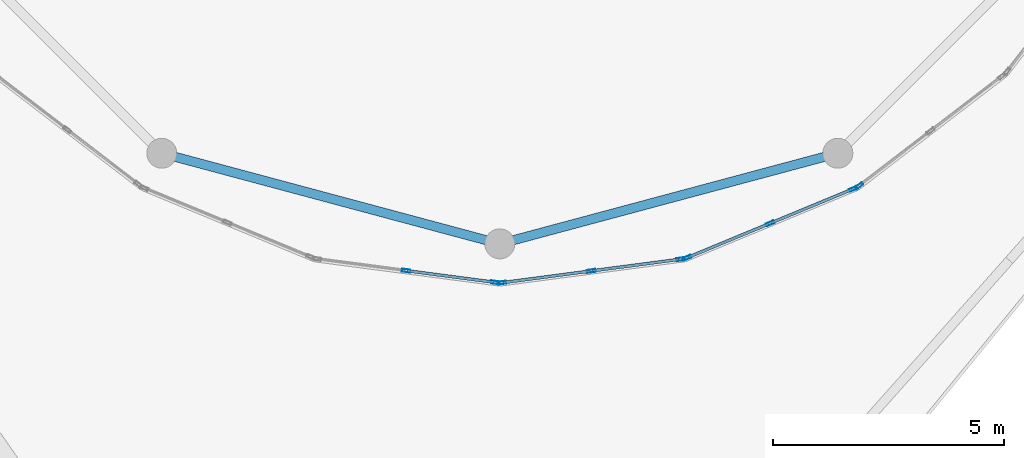
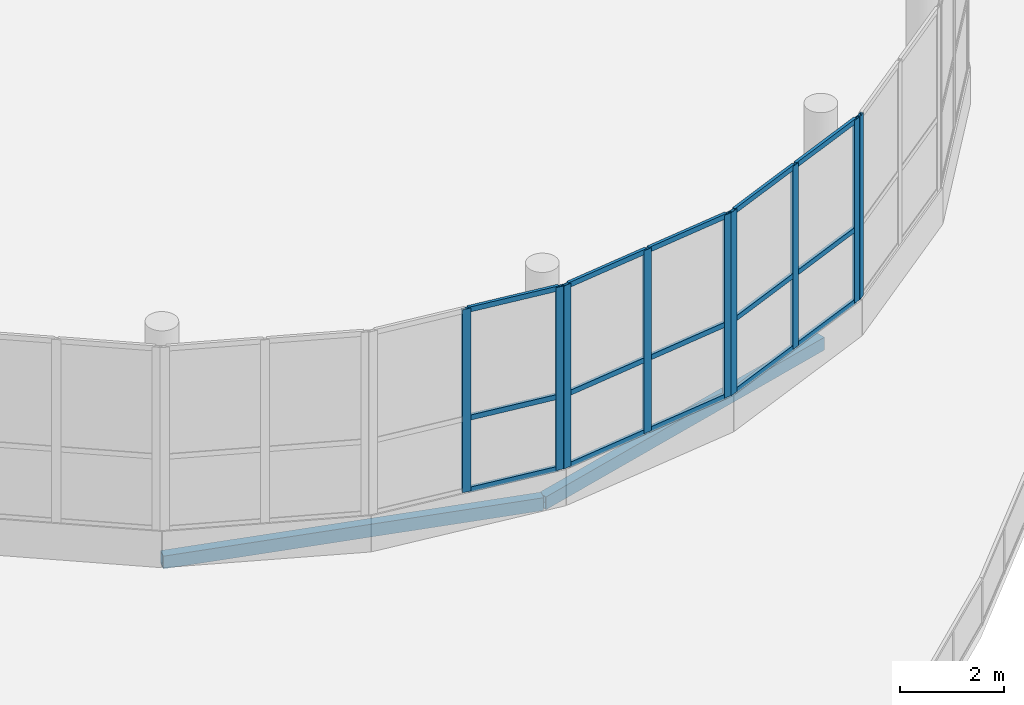
# One storey, part 7 of 101: 24 members, 2 beams, 4 elements without a shape of their own.
"""IFC4 building model written with IfcOpenShell, lengths in metres."""

from ifc_helpers import new_model, si_unit, direction, frame, origin, origin_2d, place, context, subcontext, project, spatial, hollow_rectangle, extrude, material, material_profile, profile_set, type_object, element, aggregate, save


model = new_model("IFC4")

# Units and contexts
model_context = context("Model", 3, precision=1e-05, world=origin(), true_north=direction((0.0, 1.0)))
body_context = subcontext(model_context, "Body", "Model", "MODEL_VIEW")
ifc_project = project(units=[si_unit("LENGTHUNIT", "METRE"), si_unit("AREAUNIT", "SQUARE_METRE"), si_unit("VOLUMEUNIT", "CUBIC_METRE"), si_unit("PLANEANGLEUNIT", "RADIAN"), si_unit("MASSUNIT", "GRAM", prefix="KILO")], contexts=[model_context])

# Site, building, storey
site_placement = place(None, origin())
site = spatial("IfcSite", under=ifc_project, at=site_placement, CompositionType="ELEMENT")
building_placement = place(site_placement, origin())
building = spatial("IfcBuilding", under=site, at=building_placement, Name="Selatvlak General Hospital", CompositionType="ELEMENT")
storey_placement = place(building_placement, frame((0.0, 0.0, 19.199951171875)))
storey = spatial("IfcBuildingStorey", under=building, at=storey_placement, Name="L04", CompositionType="ELEMENT", Elevation=19.199951171875)

# Beams
ifc_material_1 = material(Name="Steel S355", Category="steel")
ifc_material_profile_1 = material_profile(ifc_material_1, hollow_rectangle(XDim=0.199951171875, YDim=0.300048828125, WallThickness=0.011962890625, at=origin_2d()), Name="RHS 300x200x12")
ifc_profile_set_1 = profile_set([ifc_material_profile_1], Name="Steel S355")
beam_type = type_object("IfcBeamType", Name="BM-SP3", PredefinedType="SPANDREL", material=ifc_profile_set_1)
for number, where, z_axis, x_axis, name in (
    (1, (90.675048828125, 41.31298828125, -0.454833984375), (0.965920028052, -0.25884068345, 0.0), (0.25884068345, 0.965920028052, 0.0), "Beam BMR-L04-1794"),
    (2, (98.0, 39.35009765625, -0.454833984375), (0.965920028052, 0.25884068345, 0.0), (-0.25884068345, 0.965920028052, 0.0), "Beam BMR-L04-1795"),
):
    element("IfcBeam", number, at=place(storey_placement, frame(where, z_axis=z_axis, x_axis=x_axis)), inside=storey, type_object=beam_type, Name=name, PredefinedType="SPANDREL", context=body_context, shape_type="SweptSolid", body=[
        extrude(hollow_rectangle(XDim=0.199951171875, YDim=0.300048828125, WallThickness=0.011962890625, at=origin_2d()), origin(), (0.0, 0.0, 1.0), 7.58349609375),
    ])

# Curtain wall, member
ifc_material_2 = material(Name="Solar-control Low-E double glazing", Category="glass")
curtain_wall_type_1 = type_object("IfcCurtainWallType", Name="CW-CW-05", PredefinedType="USERDEFINED", material=ifc_material_2)
curtain_wall_1_placement = place(storey_placement, origin())
curtain_wall_1 = element("IfcCurtainWall", 3, at=curtain_wall_1_placement, inside=storey, type_object=curtain_wall_type_1, Name="Glazed facade curtain wall CW-L04-0522", ObjectType="STICK GLAZING WALL", PredefinedType="USERDEFINED")
ifc_material_3 = material(Name="Dark anodised aluminium mullion", Category="aluminium")
ifc_material_profile_2 = material_profile(ifc_material_3, hollow_rectangle(XDim=0.06494140625, YDim=0.179931640625, WallThickness=0.00439453125, at=origin_2d()), Name="AL-MUL 65x180x4.5")
ifc_profile_set_2 = profile_set([ifc_material_profile_2], Name="Dark anodised aluminium mullion")
member_type_1 = type_object("IfcMemberType", Name="CWM-02", PredefinedType="MULLION", material=ifc_profile_set_2)
member_1_placement = place(storey_placement, frame((105.788818359375, 40.606689453125, 0.85009765625), z_axis=(0.0, 0.0, 1.0), x_axis=(0.608918417743, -0.793232853917, 0.0)))
member_1 = element("IfcMember", 4, at=member_1_placement, type_object=member_type_1, Name="CW-05 mullion 3", PredefinedType="MULLION", context=body_context, shape_type="SweptSolid", body=[
    extrude(hollow_rectangle(XDim=0.06494140625, YDim=0.179931640625, WallThickness=0.00439453125, at=origin_2d()), origin(), (0.0, 0.0, 1.0), 4.300048828125),
])
aggregate(curtain_wall_1, [member_1])

# Curtain wall, members
curtain_wall_type_2 = type_object("IfcCurtainWallType", Name="CW-CW-04", PredefinedType="USERDEFINED", material=ifc_material_2)
curtain_wall_2_placement = place(storey_placement, origin())
curtain_wall_2 = element("IfcCurtainWall", 5, at=curtain_wall_2_placement, inside=storey, type_object=curtain_wall_type_2, Name="Glazed facade curtain wall CW-L04-0523", ObjectType="STICK GLAZING WALL", PredefinedType="USERDEFINED")
member_2_placement = place(storey_placement, frame((105.660888671875, 40.54052734375, 0.85009765625), z_axis=(0.0, 0.0, 1.0), x_axis=(0.382752625243, -0.923850868847, 0.0)))
member_2 = element("IfcMember", 6, at=member_2_placement, type_object=member_type_1, Name="CW-04 mullion 1", PredefinedType="MULLION", context=body_context, shape_type="SweptSolid", body=[
    extrude(hollow_rectangle(XDim=0.06494140625, YDim=0.179931640625, WallThickness=0.00439453125, at=origin_2d()), origin(), (0.0, 0.0, 1.0), 4.300048828125),
])
member_3_placement = place(storey_placement, frame((103.85888671875, 39.7939453125, 0.85009765625), z_axis=(0.0, 0.0, 1.0), x_axis=(0.382752625243, -0.923850868847, 0.0)))
member_3 = element("IfcMember", 7, at=member_3_placement, type_object=member_type_1, Name="CW-04 mullion 2", PredefinedType="MULLION", context=body_context, shape_type="SweptSolid", body=[
    extrude(hollow_rectangle(XDim=0.06494140625, YDim=0.179931640625, WallThickness=0.00439453125, at=origin_2d()), origin(), (0.0, 0.0, 1.0), 4.300048828125),
])
member_4_placement = place(storey_placement, frame((102.05712890625, 39.04736328125, 0.85009765625), z_axis=(0.0, 0.0, 1.0), x_axis=(0.382752625243, -0.923850868847, 0.0)))
member_4 = element("IfcMember", 8, at=member_4_placement, type_object=member_type_1, Name="CW-04 mullion 3", PredefinedType="MULLION", context=body_context, shape_type="SweptSolid", body=[
    extrude(hollow_rectangle(XDim=0.06494140625, YDim=0.179931640625, WallThickness=0.00439453125, at=origin_2d()), origin(), (0.0, 0.0, 1.0), 4.300048828125),
])

curtain_wall_3_placement = place(storey_placement, origin())
curtain_wall_3 = element("IfcCurtainWall", 9, at=curtain_wall_3_placement, inside=storey, type_object=curtain_wall_type_1, Name="Glazed facade curtain wall CW-L04-0524", ObjectType="STICK GLAZING WALL", PredefinedType="USERDEFINED")
member_5_placement = place(storey_placement, frame((101.915771484375, 39.015869140625, 0.85009765625), z_axis=(0.0, 0.0, 1.0), x_axis=(0.130611050186, -0.991433685916, 0.0)))
member_5 = element("IfcMember", 10, at=member_5_placement, type_object=member_type_1, Name="CW-05 mullion 1", PredefinedType="MULLION", context=body_context, shape_type="SweptSolid", body=[
    extrude(hollow_rectangle(XDim=0.06494140625, YDim=0.179931640625, WallThickness=0.00439453125, at=origin_2d()), origin(), (0.0, 0.0, 1.0), 4.300048828125),
])
member_6_placement = place(storey_placement, frame((99.98193359375, 38.760986328125, 0.85009765625), z_axis=(0.0, 0.0, 1.0), x_axis=(0.130611050186, -0.991433685916, 0.0)))
member_6 = element("IfcMember", 11, at=member_6_placement, type_object=member_type_1, Name="CW-05 mullion 2", PredefinedType="MULLION", context=body_context, shape_type="SweptSolid", body=[
    extrude(hollow_rectangle(XDim=0.06494140625, YDim=0.179931640625, WallThickness=0.00439453125, at=origin_2d()), origin(), (0.0, 0.0, 1.0), 4.300048828125),
])
member_7_placement = place(storey_placement, frame((98.04833984375, 38.50634765625, 0.85009765625), z_axis=(0.0, 0.0, 1.0), x_axis=(0.130611050186, -0.991433685916, 0.0)))
member_7 = element("IfcMember", 12, at=member_7_placement, type_object=member_type_1, Name="CW-05 mullion 3", PredefinedType="MULLION", context=body_context, shape_type="SweptSolid", body=[
    extrude(hollow_rectangle(XDim=0.06494140625, YDim=0.179931640625, WallThickness=0.00439453125, at=origin_2d()), origin(), (0.0, 0.0, 1.0), 4.300048828125),
])

curtain_wall_4_placement = place(storey_placement, origin())
curtain_wall_4 = element("IfcCurtainWall", 13, at=curtain_wall_4_placement, inside=storey, type_object=curtain_wall_type_2, Name="Glazed facade curtain wall CW-L04-0525", ObjectType="STICK GLAZING WALL", PredefinedType="USERDEFINED")
member_8_placement = place(storey_placement, frame((97.90380859375, 38.51318359375, 0.85009765625), z_axis=(0.0, 0.0, 1.0), x_axis=(-0.130363194467, -0.991466306804, 0.0)))
member_8 = element("IfcMember", 14, at=member_8_placement, type_object=member_type_1, Name="CW-04 mullion 1", PredefinedType="MULLION", context=body_context, shape_type="SweptSolid", body=[
    extrude(hollow_rectangle(XDim=0.06494140625, YDim=0.179931640625, WallThickness=0.00439453125, at=origin_2d()), origin(), (0.0, 0.0, 1.0), 4.300048828125),
])
member_9_placement = place(storey_placement, frame((95.969970703125, 38.767578125, 0.85009765625), z_axis=(0.0, 0.0, 1.0), x_axis=(-0.130363194467, -0.991466306804, 0.0)))
member_9 = element("IfcMember", 15, at=member_9_placement, type_object=member_type_1, Name="CW-04 mullion 2", PredefinedType="MULLION", context=body_context, shape_type="SweptSolid", body=[
    extrude(hollow_rectangle(XDim=0.06494140625, YDim=0.179931640625, WallThickness=0.00439453125, at=origin_2d()), origin(), (0.0, 0.0, 1.0), 4.300048828125),
])

# Member
ifc_material_profile_3 = material_profile(ifc_material_3, hollow_rectangle(XDim=0.06494140625, YDim=0.1201171875, WallThickness=0.00390625, at=origin_2d()), Name="AL-TRN 65x120x4")
ifc_profile_set_3 = profile_set([ifc_material_profile_3], Name="Dark anodised aluminium mullion")
member_type_2 = type_object("IfcMemberType", Name="CWT-01", PredefinedType="USERDEFINED", material=ifc_profile_set_3)
member_10_placement = place(storey_placement, frame((105.630859375, 40.528076171875, 0.882568359375), z_axis=(-0.92385269326, -0.382748221623, 0.0), x_axis=(0.382748221623, -0.92385269326, 0.0)))
member_10 = element("IfcMember", 16, at=member_10_placement, type_object=member_type_2, Name="CW-04 transom 1.1", ObjectType="TRANSOM", PredefinedType="USERDEFINED", context=body_context, shape_type="SweptSolid", body=[
    extrude(hollow_rectangle(XDim=0.06494140625, YDim=0.1201171875, WallThickness=0.00390625, at=origin_2d()), origin(), (0.0, 0.0, 1.0), 1.885498046875),
])

member_11_placement = place(storey_placement, frame((105.630859375, 40.528076171875, 2.574951171875), z_axis=(-0.92385269326, -0.382748221623, 0.0), x_axis=(0.382748221623, -0.92385269326, 0.0)))
member_11 = element("IfcMember", 17, at=member_11_placement, type_object=member_type_2, Name="CW-04 transom 1.2", ObjectType="TRANSOM", PredefinedType="USERDEFINED", context=body_context, shape_type="SweptSolid", body=[
    extrude(hollow_rectangle(XDim=0.06494140625, YDim=0.1201171875, WallThickness=0.00390625, at=origin_2d()), origin(), (0.0, 0.0, 1.0), 1.885498046875),
])

member_12_placement = place(storey_placement, frame((105.630859375, 40.528076171875, 5.117431640625), z_axis=(-0.92385269326, -0.382748221623, 0.0), x_axis=(0.382748221623, -0.92385269326, 0.0)))
member_12 = element("IfcMember", 18, at=member_12_placement, type_object=member_type_2, Name="CW-04 transom 1.3", ObjectType="TRANSOM", PredefinedType="USERDEFINED", context=body_context, shape_type="SweptSolid", body=[
    extrude(hollow_rectangle(XDim=0.06494140625, YDim=0.1201171875, WallThickness=0.00390625, at=origin_2d()), origin(), (0.0, 0.0, 1.0), 1.885498046875),
])

member_13_placement = place(storey_placement, frame((103.828857421875, 39.781494140625, 0.882568359375), z_axis=(-0.923833721264, -0.382794011782, 0.0), x_axis=(0.382794011782, -0.923833721264, 0.0)))
member_13 = element("IfcMember", 19, at=member_13_placement, type_object=member_type_2, Name="CW-04 transom 2.1", ObjectType="TRANSOM", PredefinedType="USERDEFINED", context=body_context, shape_type="SweptSolid", body=[
    extrude(hollow_rectangle(XDim=0.06494140625, YDim=0.1201171875, WallThickness=0.00390625, at=origin_2d()), origin(), (0.0, 0.0, 1.0), 1.88525390625),
])

member_14_placement = place(storey_placement, frame((103.828857421875, 39.781494140625, 2.574951171875), z_axis=(-0.923833721264, -0.382794011782, 0.0), x_axis=(0.382794011782, -0.923833721264, 0.0)))
member_14 = element("IfcMember", 20, at=member_14_placement, type_object=member_type_2, Name="CW-04 transom 2.2", ObjectType="TRANSOM", PredefinedType="USERDEFINED", context=body_context, shape_type="SweptSolid", body=[
    extrude(hollow_rectangle(XDim=0.06494140625, YDim=0.1201171875, WallThickness=0.00390625, at=origin_2d()), origin(), (0.0, 0.0, 1.0), 1.88525390625),
])

member_15_placement = place(storey_placement, frame((103.828857421875, 39.781494140625, 5.117431640625), z_axis=(-0.923833721264, -0.382794011782, 0.0), x_axis=(0.382794011782, -0.923833721264, 0.0)))
member_15 = element("IfcMember", 21, at=member_15_placement, type_object=member_type_2, Name="CW-04 transom 2.3", ObjectType="TRANSOM", PredefinedType="USERDEFINED", context=body_context, shape_type="SweptSolid", body=[
    extrude(hollow_rectangle(XDim=0.06494140625, YDim=0.1201171875, WallThickness=0.00390625, at=origin_2d()), origin(), (0.0, 0.0, 1.0), 1.88525390625),
])

aggregate(curtain_wall_2, [member_2, member_3, member_4, member_10, member_11, member_12, member_13, member_14, member_15])

member_16_placement = place(storey_placement, frame((101.883544921875, 39.011474609375, 0.882568359375), z_axis=(-0.991429156787, -0.130645424996, 0.0), x_axis=(0.130645424996, -0.991429156787, 0.0)))
member_16 = element("IfcMember", 22, at=member_16_placement, type_object=member_type_2, Name="CW-05 transom 1.1", ObjectType="TRANSOM", PredefinedType="USERDEFINED", context=body_context, shape_type="SweptSolid", body=[
    extrude(hollow_rectangle(XDim=0.06494140625, YDim=0.1201171875, WallThickness=0.00390625, at=origin_2d()), origin(), (0.0, 0.0, 1.0), 1.885498046875),
])

member_17_placement = place(storey_placement, frame((101.883544921875, 39.011474609375, 2.574951171875), z_axis=(-0.991429156787, -0.130645424996, 0.0), x_axis=(0.130645424996, -0.991429156787, 0.0)))
member_17 = element("IfcMember", 23, at=member_17_placement, type_object=member_type_2, Name="CW-05 transom 1.2", ObjectType="TRANSOM", PredefinedType="USERDEFINED", context=body_context, shape_type="SweptSolid", body=[
    extrude(hollow_rectangle(XDim=0.06494140625, YDim=0.1201171875, WallThickness=0.00390625, at=origin_2d()), origin(), (0.0, 0.0, 1.0), 1.885498046875),
])

member_18_placement = place(storey_placement, frame((101.883544921875, 39.011474609375, 5.117431640625), z_axis=(-0.991429156787, -0.130645424996, 0.0), x_axis=(0.130645424996, -0.991429156787, 0.0)))
member_18 = element("IfcMember", 24, at=member_18_placement, type_object=member_type_2, Name="CW-05 transom 1.3", ObjectType="TRANSOM", PredefinedType="USERDEFINED", context=body_context, shape_type="SweptSolid", body=[
    extrude(hollow_rectangle(XDim=0.06494140625, YDim=0.1201171875, WallThickness=0.00390625, at=origin_2d()), origin(), (0.0, 0.0, 1.0), 1.885498046875),
])

member_19_placement = place(storey_placement, frame((99.94970703125, 38.7568359375, 0.882568359375), z_axis=(-0.991429156787, -0.130645424996, 0.0), x_axis=(0.130645424996, -0.991429156787, 0.0)))
member_19 = element("IfcMember", 25, at=member_19_placement, type_object=member_type_2, Name="CW-05 transom 2.1", ObjectType="TRANSOM", PredefinedType="USERDEFINED", context=body_context, shape_type="SweptSolid", body=[
    extrude(hollow_rectangle(XDim=0.06494140625, YDim=0.1201171875, WallThickness=0.00390625, at=origin_2d()), origin(), (0.0, 0.0, 1.0), 1.885498046875),
])

member_20_placement = place(storey_placement, frame((99.94970703125, 38.7568359375, 2.574951171875), z_axis=(-0.991429156787, -0.130645424996, 0.0), x_axis=(0.130645424996, -0.991429156787, 0.0)))
member_20 = element("IfcMember", 26, at=member_20_placement, type_object=member_type_2, Name="CW-05 transom 2.2", ObjectType="TRANSOM", PredefinedType="USERDEFINED", context=body_context, shape_type="SweptSolid", body=[
    extrude(hollow_rectangle(XDim=0.06494140625, YDim=0.1201171875, WallThickness=0.00390625, at=origin_2d()), origin(), (0.0, 0.0, 1.0), 1.885498046875),
])

member_21_placement = place(storey_placement, frame((99.94970703125, 38.7568359375, 5.117431640625), z_axis=(-0.991429156787, -0.130645424996, 0.0), x_axis=(0.130645424996, -0.991429156787, 0.0)))
member_21 = element("IfcMember", 27, at=member_21_placement, type_object=member_type_2, Name="CW-05 transom 2.3", ObjectType="TRANSOM", PredefinedType="USERDEFINED", context=body_context, shape_type="SweptSolid", body=[
    extrude(hollow_rectangle(XDim=0.06494140625, YDim=0.1201171875, WallThickness=0.00390625, at=origin_2d()), origin(), (0.0, 0.0, 1.0), 1.885498046875),
])

aggregate(curtain_wall_3, [member_5, member_6, member_7, member_16, member_17, member_18, member_19, member_20, member_21])

member_22_placement = place(storey_placement, frame((97.87158203125, 38.517578125, 0.882568359375), z_axis=(-0.991479398807, 0.130263585634, 0.0), x_axis=(-0.130263585634, -0.991479398807, 0.0)))
member_22 = element("IfcMember", 28, at=member_22_placement, type_object=member_type_2, Name="CW-04 transom 1.1", ObjectType="TRANSOM", PredefinedType="USERDEFINED", context=body_context, shape_type="SweptSolid", body=[
    extrude(hollow_rectangle(XDim=0.06494140625, YDim=0.1201171875, WallThickness=0.00390625, at=origin_2d()), origin(), (0.0, 0.0, 1.0), 1.885498046875),
])

member_23_placement = place(storey_placement, frame((97.87158203125, 38.517578125, 2.574951171875), z_axis=(-0.991479398807, 0.130263585634, 0.0), x_axis=(-0.130263585634, -0.991479398807, 0.0)))
member_23 = element("IfcMember", 29, at=member_23_placement, type_object=member_type_2, Name="CW-04 transom 1.2", ObjectType="TRANSOM", PredefinedType="USERDEFINED", context=body_context, shape_type="SweptSolid", body=[
    extrude(hollow_rectangle(XDim=0.06494140625, YDim=0.1201171875, WallThickness=0.00390625, at=origin_2d()), origin(), (0.0, 0.0, 1.0), 1.885498046875),
])

member_24_placement = place(storey_placement, frame((97.87158203125, 38.517578125, 5.117431640625), z_axis=(-0.991479398807, 0.130263585634, 0.0), x_axis=(-0.130263585634, -0.991479398807, 0.0)))
member_24 = element("IfcMember", 30, at=member_24_placement, type_object=member_type_2, Name="CW-04 transom 1.3", ObjectType="TRANSOM", PredefinedType="USERDEFINED", context=body_context, shape_type="SweptSolid", body=[
    extrude(hollow_rectangle(XDim=0.06494140625, YDim=0.1201171875, WallThickness=0.00390625, at=origin_2d()), origin(), (0.0, 0.0, 1.0), 1.885498046875),
])

aggregate(curtain_wall_4, [member_8, member_9, member_22, member_23, member_24])

save(model, "model.ifc")
